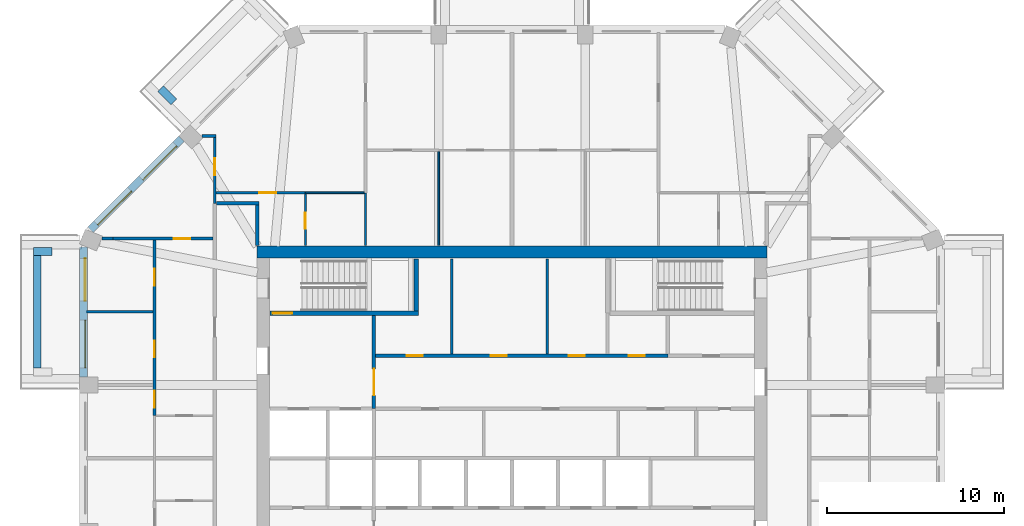
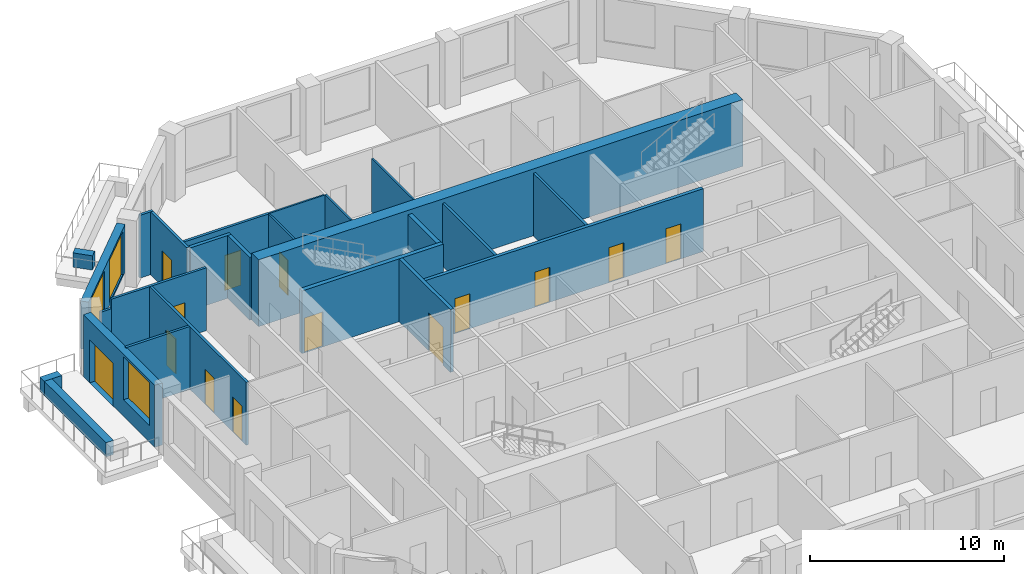
# One storey, part 7 of 12: 25 walls, 14 doors, 3 windows, 17 openings.
"""IFC4 building model written with IfcOpenShell, lengths in metres."""

import ifcopenshell
import ifcopenshell.guid

model = None  # the IFC model being written
_history = None  # IfcOwnerHistory: only IFC2X3 demands one
_inside = {}  # id of a spatial element -> (the spatial element, [elements in it])
_under = {}  # id of a project, library or spatial element -> (it, [spatial elements below it])
_declared = {}  # id of a project -> (the project, [libraries it declares])
_typed = {}  # id of a type object -> (the type object, [elements of that type])
_made_of = {}  # id of a material, layer set ... -> (it, [elements and type objects made of it])


def new_model(schema):
    """Start an empty IFC model of exactly this schema.

    Asked for "IFC4X3", IfcOpenShell would pick the latest addendum, in which some entities
    have other attributes; the version numbers below select the first issue.
    IFC2X3 requires an IfcOwnerHistory on every rooted entity: one is made here for all.
    """
    global model, _history
    if schema == "IFC4X3":
        model = ifcopenshell.file(schema_version=(4, 3, 0, 0))
    else:
        model = ifcopenshell.file(schema=schema)
    _inside.clear()
    _under.clear()
    _declared.clear()
    _typed.clear()
    _made_of.clear()
    _history = None
    if model.schema == "IFC2X3":
        org = make("IfcOrganization", Name="unknown")
        user = make(
            "IfcPersonAndOrganization",
            ThePerson=make("IfcPerson", FamilyName="unknown"),
            TheOrganization=org,
        )
        app = make(
            "IfcApplication",
            ApplicationDeveloper=org,
            Version="unknown",
            ApplicationFullName="unknown",
            ApplicationIdentifier="unknown",
        )
        _history = make(
            "IfcOwnerHistory",
            OwningUser=user,
            OwningApplication=app,
            ChangeAction="ADDED",
            CreationDate=0,
        )
    return model


def make(cls, **values):
    """One entity of the class cls with the attributes given. An attribute that is None is left unset."""
    return model.create_entity(
        cls, **{name: value for name, value in values.items() if value is not None}
    )


def rooted(cls, **values):
    """An entity with a GlobalId (a new one), such as an element, a storey or a relation."""
    return make(cls, GlobalId=ifcopenshell.guid.new(), OwnerHistory=_history, **values)


def si_unit(unit_type, name, prefix=None):
    """IfcSIUnit, for example si_unit("LENGTHUNIT", "METRE", prefix="MILLI")."""
    return make("IfcSIUnit", UnitType=unit_type, Prefix=prefix, Name=name)


def assignment(units):
    """IfcUnitAssignment: the units of a project."""
    return None if units is None else make("IfcUnitAssignment", Units=units)


def point(xyz):
    """IfcCartesianPoint."""
    return None if xyz is None else make("IfcCartesianPoint", Coordinates=xyz)


def direction(xyz):
    """IfcDirection."""
    return None if xyz is None else make("IfcDirection", DirectionRatios=xyz)


def frame(location, z_axis=None, x_axis=None):
    """IfcAxis2Placement3D, a coordinate frame: its origin and axes. An axis left out is left unset."""
    return make(
        "IfcAxis2Placement3D",
        Location=point(location),
        Axis=direction(z_axis),
        RefDirection=direction(x_axis),
    )


def frame_2d(location, x_axis=None):
    """IfcAxis2Placement2D, a coordinate frame in the plane: its origin and x axis."""
    return make(
        "IfcAxis2Placement2D", Location=point(location), RefDirection=direction(x_axis)
    )


def origin():
    """The frame at (0, 0, 0) with its axes left unset."""
    return frame((0.0, 0.0, 0.0))


def place(relative_to, where):
    """IfcLocalPlacement: puts the frame where relative to a parent placement (None: the world)."""
    return make(
        "IfcLocalPlacement", PlacementRelTo=relative_to, RelativePlacement=where
    )


def context(
    kind, dimensions, precision=None, world=None, true_north=None, identifier=None
):
    """IfcGeometricRepresentationContext, for example the 3D "Model" context."""
    return make(
        "IfcGeometricRepresentationContext",
        ContextIdentifier=identifier,
        ContextType=kind,
        CoordinateSpaceDimension=dimensions,
        Precision=precision,
        WorldCoordinateSystem=world,
        TrueNorth=true_north,
    )


def subcontext(parent, identifier, kind, view, scale=None):
    """IfcGeometricRepresentationSubContext, for example "Body" below "Model"."""
    return make(
        "IfcGeometricRepresentationSubContext",
        ContextIdentifier=identifier,
        ContextType=kind,
        ParentContext=parent,
        TargetScale=scale,
        TargetView=view,
    )


def project(units=None, contexts=None):
    """IfcProject with its units and contexts."""
    return rooted(
        "IfcProject",
        Name="project",
        RepresentationContexts=contexts,
        UnitsInContext=assignment(units),
    )


def spatial(cls, under=None, at=None, **own):
    """A site, building, storey or space (cls), placed at a placement, below another one or the project."""
    s = rooted(cls, ObjectPlacement=at, **own)
    if under is not None:
        _under.setdefault(under.id(), (under, []))[1].append(s)
    return s


def profile(cls, at=None, kind="AREA", **sizes):
    """A parametric profile (cls). Its sizes go by their IFC names, for example OverallWidth=200.0."""
    return make(cls, ProfileType=kind, Position=at, **sizes)


def rectangle(**sizes):
    """IfcRectangleProfileDef."""
    return profile("IfcRectangleProfileDef", **sizes)


def extrude(swept, where, along, depth):
    """IfcExtrudedAreaSolid: the profile swept, set in the frame where, extruded along a direction by depth."""
    return make(
        "IfcExtrudedAreaSolid",
        SweptArea=swept,
        Position=where,
        ExtrudedDirection=direction(along),
        Depth=depth,
    )


def shape(context_of_items, identifier, shape_type, items):
    """IfcShapeRepresentation: the items that make up one representation, for example the "Body"."""
    return make(
        "IfcShapeRepresentation",
        ContextOfItems=context_of_items,
        RepresentationIdentifier=identifier,
        RepresentationType=shape_type,
        Items=items,
    )


def material(Name=None, Category=None):
    """IfcMaterial."""
    return make("IfcMaterial", Name=Name, Category=Category)


def layer(
    of_material, thickness, ventilated=None, Name=None, Category=None, Priority=None
):
    """IfcMaterialLayer: one layer of a wall or slab, of a material (None: an air gap)."""
    return make(
        "IfcMaterialLayer",
        Material=of_material,
        LayerThickness=thickness,
        IsVentilated=ventilated,
        Name=Name,
        Category=Category,
        Priority=Priority,
    )


def layer_set(layers, Name=None):
    """IfcMaterialLayerSet."""
    return make("IfcMaterialLayerSet", MaterialLayers=layers, LayerSetName=Name)


def made_of(thing, what):
    """Note that an element or type object is made of a material, layer set ...; save() writes the relation."""
    if what is not None:
        _made_of.setdefault(what.id(), (what, []))[1].append(thing)
    return thing


def type_object(cls, material=None, **own):
    """A type object (cls), such as IfcWallType, which elements share."""
    return made_of(rooted(cls, **own), material)


def element(
    cls,
    number,
    at=None,
    inside=None,
    cuts=None,
    type_object=None,
    material=None,
    context=None,
    identifier="Body",
    shape_type=None,
    held_by="IfcProductDefinitionShape",
    body=None,
    shapes=None,
    **own,
):
    """One element of the class cls, such as IfcWall. Its Tag is "e" and its number.

    at: its placement. inside: the storey or other place that contains it. cuts: it is an
    opening in that element (IfcRelVoidsElement). A single representation is given by context,
    identifier, shape_type and body (its items); several are given by shapes. held_by: the class
    of the entity that holds the representations. save() writes the other relations.
    """
    e = rooted(cls, Tag="e%d" % number, ObjectPlacement=at, **own)
    if body is not None:
        shapes = [shape(context, identifier, shape_type, body)]
    if shapes is not None:
        e.Representation = make(held_by, Representations=shapes)
    if inside is not None:
        _inside.setdefault(inside.id(), (inside, []))[1].append(e)
    if cuts is not None:
        rooted(
            "IfcRelVoidsElement", RelatingBuildingElement=cuts, RelatedOpeningElement=e
        )
    if type_object is not None:
        _typed.setdefault(type_object.id(), (type_object, []))[1].append(e)
    return made_of(e, material)


def fill(opening, filler):
    """IfcRelFillsElement: the door or window that sits in an opening."""
    return rooted(
        "IfcRelFillsElement",
        RelatingOpeningElement=opening,
        RelatedBuildingElement=filler,
    )


def aggregate(whole, parts):
    """IfcRelAggregates: a whole, such as a stair, and the parts it consists of."""
    return rooted("IfcRelAggregates", RelatingObject=whole, RelatedObjects=parts)


def save(model, path):
    """Write the relations noted so far, then the file.

    IfcRelAggregates (storeys below a building ...), IfcRelContainedInSpatialStructure (elements
    in a storey), IfcRelDefinesByType, IfcRelAssociatesMaterial and IfcRelDeclares: one each for
    every whole, place, type object, material and project.
    """
    for whole, parts in _under.values():
        aggregate(whole, parts)
    for where, things in _inside.values():
        rooted(
            "IfcRelContainedInSpatialStructure",
            RelatedElements=things,
            RelatingStructure=where,
        )
    for kind, things in _typed.values():
        rooted("IfcRelDefinesByType", RelatedObjects=things, RelatingType=kind)
    for what, things in _made_of.values():
        rooted("IfcRelAssociatesMaterial", RelatedObjects=things, RelatingMaterial=what)
    for by, libraries in _declared.values():
        rooted("IfcRelDeclares", RelatingContext=by, RelatedDefinitions=libraries)
    model.write(path)


model = new_model("IFC4")

# Units and contexts
model_context = context("Model", 3, precision=1e-05, world=origin(), true_north=direction((0.0, 1.0)))
body_context = subcontext(model_context, "Body", "Model", "MODEL_VIEW")
ifc_project = project(units=[si_unit("LENGTHUNIT", "METRE"), si_unit("AREAUNIT", "SQUARE_METRE"), si_unit("VOLUMEUNIT", "CUBIC_METRE"), si_unit("PLANEANGLEUNIT", "RADIAN"), si_unit("MASSUNIT", "GRAM", prefix="KILO")], contexts=[model_context])

# Site, building, storey
site_placement = place(None, origin())
site = spatial("IfcSite", under=ifc_project, at=site_placement, CompositionType="ELEMENT")
building_placement = place(site_placement, origin())
building = spatial("IfcBuilding", under=site, at=building_placement, Name="Msitu Wima Residences", CompositionType="ELEMENT")
storey_placement = place(building_placement, frame((0.0, 0.0, 170.699951171875)))
storey = spatial("IfcBuildingStorey", under=building, at=storey_placement, Name="L39", CompositionType="ELEMENT", Elevation=170.699951171875)

# Walls
ifc_material_1 = material(Name="Facing brick")
ifc_layer_1 = layer(ifc_material_1, 0.06494140625, Name="Facing brick")
ifc_material_2 = material(Name="Concrete C40/50", Category="concrete")
ifc_layer_2 = layer(ifc_material_2, 0.156005859375, Name="Concrete C40/50")
ifc_material_3 = material(Name="Waterproofing membrane")
ifc_layer_3 = layer(ifc_material_3, 0.00390625, Name="Waterproofing membrane")
ifc_material_4 = material(Name="Planting soil and planting")
ifc_layer_4 = layer(ifc_material_4, 0.22509765625, Name="Planting soil and planting")
ifc_layer_set_1 = layer_set([ifc_layer_1, ifc_layer_2, ifc_layer_3, ifc_layer_4], Name="Concrete C40/50")
wall_type_1 = type_object("IfcWallType", Name="Balcony planter PLANTER PL450", PredefinedType="USERDEFINED", material=ifc_layer_set_1)
wall_1_placement = place(storey_placement, frame((-19.107421875, 20.1328125, 0.0), z_axis=(0.0, 0.0, 1.0), x_axis=(-0.707106781187, 0.707106781187, 0.0)))
element("IfcWall", 1, at=wall_1_placement, inside=storey, type_object=wall_type_1, Name="Balcony planter NW0 L39", ObjectType="PLANTER", PredefinedType="USERDEFINED", context=body_context, shape_type="SweptSolid", body=[
    extrude(rectangle(XDim=1.050048828125, YDim=0.449951171875, at=frame_2d((0.52490234375, 0.0))), origin(), (0.0, 0.0, 1.0), 0.900146484375),
])
wall_2_placement = place(storey_placement, frame((-26.824951171875, 11.461669921875, 0.0), z_axis=(0.0, 0.0, 1.0), x_axis=(0.0, -1.0, 0.0)))
element("IfcWall", 2, at=wall_2_placement, inside=storey, type_object=wall_type_1, Name="Balcony planter W0 L39", ObjectType="PLANTER", PredefinedType="USERDEFINED", context=body_context, shape_type="SweptSolid", body=[
    extrude(rectangle(XDim=6.37451171875, YDim=0.449951171875, at=frame_2d((3.187255859375, 0.0))), origin(), (0.0, 0.0, 1.0), 0.900146484375),
])
wall_3_placement = place(storey_placement, frame((-26.0, 11.686767578125, 0.0), z_axis=(0.0, 0.0, 1.0), x_axis=(-1.0, 0.0, 0.0)))
element("IfcWall", 3, at=wall_3_placement, inside=storey, type_object=wall_type_1, Name="Balcony planter W0 L39", ObjectType="PLANTER", PredefinedType="USERDEFINED", context=body_context, shape_type="SweptSolid", body=[
    extrude(rectangle(XDim=1.050048828125, YDim=0.449951171875, at=frame_2d((0.52490234375, 0.0))), origin(), (0.0, 0.0, 1.0), 0.900146484375),
])

# Wall, openings, windows
ifc_material_5 = material(Name="Brick (red buff mix)", Category="masonry")
ifc_layer_5 = layer(ifc_material_5, 0.449951171875)
ifc_layer_set_2 = layer_set([ifc_layer_5], Name="Brick (red buff mix)")
wall_type_2 = type_object("IfcWallType", Name="Brick infill wall BW450", PredefinedType="SOLIDWALL", material=ifc_layer_set_2)
wall_4_placement = place(storey_placement, frame((-18.68310546875, 18.046875, 0.900146484375), z_axis=(0.0, 0.0, 1.0), x_axis=(-0.707106781187, -0.707106781187, 0.0)))
wall_4 = element("IfcWall", 4, at=wall_4_placement, inside=storey, type_object=wall_type_2, Name="Brick infill wall L39 NW1", PredefinedType="SOLIDWALL", context=body_context, shape_type="SweptSolid", body=[
    extrude(rectangle(XDim=7.257080078125, YDim=0.449951171875, at=frame_2d((3.62841796875, 0.0))), origin(), (0.0, 0.0, 1.0), 3.0),
])
opening_1_placement = place(wall_4_placement, frame((0.478515625, 0.0, 0.14990234375)))
opening_1 = element("IfcOpeningElement", 5, at=opening_1_placement, cuts=wall_4, Name="Opening W38-39.014", PredefinedType="OPENING", context=body_context, shape_type="SweptSolid", body=[
    extrude(rectangle(XDim=2.699951171875, YDim=2.699951171875, at=frame_2d((1.35009765625, 1.35009765625))), frame((0.0, 0.23486328125, 0.0), z_axis=(0.0, -1.0, 0.0), x_axis=(1.0, 0.0, 0.0)), (0.0, 0.0, 1.0), 0.469970703125),
])
opening_2_placement = place(wall_4_placement, frame((4.07861328125, 0.0, 0.14990234375)))
opening_2 = element("IfcOpeningElement", 6, at=opening_2_placement, cuts=wall_4, Name="Opening W38-39.015", PredefinedType="OPENING", context=body_context, shape_type="SweptSolid", body=[
    extrude(rectangle(XDim=2.699951171875, YDim=2.699951171875, at=frame_2d((1.35009765625, 1.35009765625))), frame((0.0, 0.23486328125, 0.0), z_axis=(0.0, -1.0, 0.0), x_axis=(1.0, 0.0, 0.0)), (0.0, 0.0, 1.0), 0.469970703125),
])
ifc_material_6 = material(Name="Anodised aluminium, bronze finish, clear low-emissivity double glazing", Category="aluminium")
window_type = type_object("IfcWindowType", Name="Window W2700x2700", PartitioningType="DOUBLE_PANEL_VERTICAL", PredefinedType="WINDOW", material=ifc_material_6)
window_1_placement = place(opening_1_placement, origin())
window_1 = element("IfcWindow", 7, at=window_1_placement, inside=storey, type_object=window_type, Name="Window L39 NW1.1", OverallHeight=2.699951171875, OverallWidth=2.699951171875, PartitioningType="SINGLE_PANEL", PredefinedType="WINDOW", context=body_context, shape_type="SweptSolid", body=[
    extrude(rectangle(XDim=2.699951171875, YDim=2.699951171875, at=frame_2d((1.35009765625, 1.35009765625))), frame((0.0, 0.135009765625, 0.0), z_axis=(0.0, -1.0, 0.0), x_axis=(1.0, 0.0, 0.0)), (0.0, 0.0, 1.0), 0.06005859375),
])
fill(opening_1, window_1)
window_2_placement = place(opening_2_placement, origin())
window_2 = element("IfcWindow", 8, at=window_2_placement, inside=storey, type_object=window_type, Name="Window L39 NW1.2", OverallHeight=2.699951171875, OverallWidth=2.699951171875, PartitioningType="SINGLE_PANEL", PredefinedType="WINDOW", context=body_context, shape_type="SweptSolid", body=[
    extrude(rectangle(XDim=2.699951171875, YDim=2.699951171875, at=frame_2d((1.35009765625, 1.35009765625))), frame((0.0, 0.135009765625, 0.0), z_axis=(0.0, -1.0, 0.0), x_axis=(1.0, 0.0, 0.0)), (0.0, 0.0, 1.0), 0.06005859375),
])
fill(opening_2, window_2)

# Wall, openings, door, window
wall_5_placement = place(storey_placement, frame((-24.22509765625, 11.9248046875, 0.0), z_axis=(0.0, 0.0, 1.0), x_axis=(0.0, -1.0, 0.0)))
wall_5 = element("IfcWall", 9, at=wall_5_placement, inside=storey, type_object=wall_type_2, Name="Brick infill wall L39 W0", PredefinedType="SOLIDWALL", context=body_context, shape_type="SweptSolid", body=[
    extrude(rectangle(XDim=7.337646484375, YDim=0.449951171875, at=frame_2d((3.6689453125, 0.0))), origin(), (0.0, 0.0, 1.0), 3.900146484375),
])
opening_3_placement = place(wall_5_placement, frame((0.63427734375, 0.0, 0.0)))
opening_3 = element("IfcOpeningElement", 10, at=opening_3_placement, cuts=wall_5, Name="Opening D38-39.009", PredefinedType="OPENING", context=body_context, shape_type="SweptSolid", body=[
    extrude(rectangle(XDim=2.39990234375, YDim=2.699951171875, at=frame_2d((1.199951171875, 1.35009765625))), frame((0.0, 0.23486328125, 0.0), z_axis=(0.0, -1.0, 0.0), x_axis=(1.0, 0.0, 0.0)), (0.0, 0.0, 1.0), 0.469970703125),
])
opening_4_placement = place(wall_5_placement, frame((4.11865234375, 0.0, 1.050048828125)))
opening_4 = element("IfcOpeningElement", 11, at=opening_4_placement, cuts=wall_5, Name="Opening W38-39.027", PredefinedType="OPENING", context=body_context, shape_type="SweptSolid", body=[
    extrude(rectangle(XDim=2.699951171875, YDim=2.699951171875, at=frame_2d((1.35009765625, 1.35009765625))), frame((0.0, 0.23486328125, 0.0), z_axis=(0.0, -1.0, 0.0), x_axis=(1.0, 0.0, 0.0)), (0.0, 0.0, 1.0), 0.469970703125),
])
door_type_1 = type_object("IfcDoorType", Name="Balcony door D2400x2700", OperationType="SLIDING_TO_LEFT", PredefinedType="DOOR", material=ifc_material_6)
door_1_placement = place(opening_3_placement, origin())
door_1 = element("IfcDoor", 12, at=door_1_placement, inside=storey, type_object=door_type_1, Name="Balcony door L39 W0", OperationType="SINGLE_SWING_LEFT", OverallHeight=2.699951171875, OverallWidth=2.39990234375, PredefinedType="DOOR", context=body_context, shape_type="SweptSolid", body=[
    extrude(rectangle(XDim=2.39990234375, YDim=2.699951171875, at=frame_2d((1.199951171875, 1.35009765625))), frame((0.0, 0.1298828125, 0.0), z_axis=(0.0, -1.0, 0.0), x_axis=(1.0, 0.0, 0.0)), (0.0, 0.0, 1.0), 0.050048828125),
])
fill(opening_3, door_1)
window_3_placement = place(opening_4_placement, origin())
window_3 = element("IfcWindow", 13, at=window_3_placement, inside=storey, type_object=window_type, Name="Window L39 W0.2", OverallHeight=2.699951171875, OverallWidth=2.699951171875, PartitioningType="SINGLE_PANEL", PredefinedType="WINDOW", context=body_context, shape_type="SweptSolid", body=[
    extrude(rectangle(XDim=2.699951171875, YDim=2.699951171875, at=frame_2d((1.35009765625, 1.35009765625))), frame((0.0, 0.135009765625, 0.0), z_axis=(0.0, -1.0, 0.0), x_axis=(1.0, 0.0, 0.0)), (0.0, 0.0, 1.0), 0.06005859375),
])
fill(opening_4, window_3)

# Walls
ifc_material_7 = material(Name="Concrete C60/75", Category="concrete")
ifc_layer_6 = layer(ifc_material_7, 0.699951171875)
ifc_layer_set_3 = layer_set([ifc_layer_6], Name="Concrete C60/75")
wall_type_3 = type_object("IfcWallType", Name="Core wall CW700 C60/75", PredefinedType="SHEAR", material=ifc_layer_set_3)
wall_6_placement = place(storey_placement, frame((-14.39990234375, 11.64990234375, 0.0), z_axis=(0.0, 0.0, 1.0), x_axis=(1.0, 0.0, 0.0)))
element("IfcWall", 14, at=wall_6_placement, inside=storey, type_object=wall_type_3, Name="Core wall", PredefinedType="SHEAR", context=body_context, shape_type="SweptSolid", body=[
    extrude(rectangle(XDim=28.7998046875, YDim=0.699951171875, at=frame_2d((14.39990234375, 0.0))), origin(), (0.0, 0.0, 1.0), 4.199951171875),
])
ifc_material_8 = material(Name="Plaster")
ifc_layer_7 = layer(ifc_material_8, 0.011962890625, Name="Plaster")
ifc_material_9 = material(Name="Concrete blockwork", Category="masonry")
ifc_layer_8 = layer(ifc_material_9, 0.176025390625, Name="Concrete blockwork")
ifc_layer_9 = layer(ifc_material_8, 0.011962890625, Name="Plaster")
ifc_layer_set_4 = layer_set([ifc_layer_7, ifc_layer_8, ifc_layer_9], Name="Concrete blockwork")
wall_type_4 = type_object("IfcWallType", Name="Corridor wall FW200", PredefinedType="PARTITIONING", material=ifc_layer_set_4)
wall_7_placement = place(storey_placement, frame((-16.699951171875, 14.39990234375, 0.0), z_axis=(0.0, 0.0, 1.0), x_axis=(1.0, 0.0, 0.0)))
element("IfcWall", 15, at=wall_7_placement, inside=storey, type_object=wall_type_4, Name="Corridor wall", PredefinedType="PARTITIONING", context=body_context, shape_type="SweptSolid", body=[
    extrude(rectangle(XDim=2.39990234375, YDim=0.199951171875, at=frame_2d((1.199951171875, 0.0))), origin(), (0.0, 0.0, 1.0), 3.949951171875),
])
wall_8_placement = place(storey_placement, frame((-14.39990234375, 12.030029296875, 0.0), z_axis=(0.0, 0.0, 1.0), x_axis=(0.0, 1.0, 0.0)))
element("IfcWall", 16, at=wall_8_placement, inside=storey, type_object=wall_type_4, Name="Corridor wall", PredefinedType="PARTITIONING", context=body_context, shape_type="SweptSolid", body=[
    extrude(rectangle(XDim=2.27001953125, YDim=0.199951171875, at=frame_2d((1.135009765625, 0.0))), origin(), (0.0, 0.0, 1.0), 3.949951171875),
])

# Wall, opening, door
wall_9_placement = place(storey_placement, frame((-7.800048828125, 2.800048828125, 0.0), z_axis=(0.0, 0.0, 1.0), x_axis=(0.0, 1.0, 0.0)))
wall_9 = element("IfcWall", 17, at=wall_9_placement, inside=storey, type_object=wall_type_4, Name="Corridor wall", PredefinedType="PARTITIONING", context=body_context, shape_type="SweptSolid", body=[
    extrude(rectangle(XDim=5.27490234375, YDim=0.199951171875, at=frame_2d((2.637451171875, 0.0))), origin(), (0.0, 0.0, 1.0), 3.949951171875),
])
opening_5_placement = place(wall_9_placement, frame((0.75, 0.0, 0.0)))
opening_5 = element("IfcOpeningElement", 18, at=opening_5_placement, cuts=wall_9, Name="Opening D38-39.061", PredefinedType="OPENING", context=body_context, shape_type="SweptSolid", body=[
    extrude(rectangle(XDim=1.5, YDim=2.39990234375, at=frame_2d((0.75, 1.199951171875))), frame((0.0, 0.10986328125, 0.0), z_axis=(0.0, -1.0, 0.0), x_axis=(1.0, 0.0, 0.0)), (0.0, 0.0, 1.0), 0.219970703125),
])
ifc_material_10 = material(Name="Steel framed glazed door, fire resisting", Category="steel")
door_type_2 = type_object("IfcDoorType", Name="Lobby door D07 1500x2400", OperationType="DOUBLE_DOOR_SINGLE_SWING", PredefinedType="DOOR", material=ifc_material_10)
door_2_placement = place(opening_5_placement, origin())
door_2 = element("IfcDoor", 19, at=door_2_placement, inside=storey, type_object=door_type_2, Name="Lobby door", OperationType="DOUBLE_DOOR_SINGLE_SWING", OverallHeight=2.39990234375, OverallWidth=1.5, PredefinedType="DOOR", context=body_context, shape_type="SweptSolid", body=[
    extrude(rectangle(XDim=1.5, YDim=2.39990234375, at=frame_2d((0.75, 1.199951171875))), frame((0.0, 0.02490234375, 0.0), z_axis=(0.0, -1.0, 0.0), x_axis=(1.0, 0.0, 0.0)), (0.0, 0.0, 1.0), 0.050048828125),
])
fill(opening_5, door_2)

# Wall, openings, doors
wall_10_placement = place(storey_placement, frame((-7.699951171875, 5.800048828125, 0.0), z_axis=(0.0, 0.0, 1.0), x_axis=(1.0, 0.0, 0.0)))
wall_10 = element("IfcWall", 20, at=wall_10_placement, inside=storey, type_object=wall_type_4, Name="Corridor wall", PredefinedType="PARTITIONING", context=body_context, shape_type="SweptSolid", body=[
    extrude(rectangle(XDim=16.52001953125, YDim=0.199951171875, at=frame_2d((8.260009765625, 0.0))), origin(), (0.0, 0.0, 1.0), 3.949951171875),
])
opening_6_placement = place(wall_10_placement, frame((1.75, 0.0, 0.0)))
opening_6 = element("IfcOpeningElement", 21, at=opening_6_placement, cuts=wall_10, Name="Opening D38-39.064", PredefinedType="OPENING", context=body_context, shape_type="SweptSolid", body=[
    extrude(rectangle(XDim=0.89990234375, YDim=2.199951171875, at=frame_2d((0.449951171875, 1.10009765625))), frame((0.0, 0.10986328125, 0.0), z_axis=(0.0, -1.0, 0.0), x_axis=(1.0, 0.0, 0.0)), (0.0, 0.0, 1.0), 0.219970703125),
])
opening_7_placement = place(wall_10_placement, frame((6.5, 0.0, 0.0)))
opening_7 = element("IfcOpeningElement", 22, at=opening_7_placement, cuts=wall_10, Name="Opening D38-39.065", PredefinedType="OPENING", context=body_context, shape_type="SweptSolid", body=[
    extrude(rectangle(XDim=0.89990234375, YDim=2.199951171875, at=frame_2d((0.449951171875, 1.10009765625))), frame((0.0, 0.10986328125, 0.0), z_axis=(0.0, -1.0, 0.0), x_axis=(1.0, 0.0, 0.0)), (0.0, 0.0, 1.0), 0.219970703125),
])
opening_8_placement = place(wall_10_placement, frame((10.89990234375, 0.0, 0.0)))
opening_8 = element("IfcOpeningElement", 23, at=opening_8_placement, cuts=wall_10, Name="Opening D38-39.066", PredefinedType="OPENING", context=body_context, shape_type="SweptSolid", body=[
    extrude(rectangle(XDim=0.89990234375, YDim=2.199951171875, at=frame_2d((0.449951171875, 1.10009765625))), frame((0.0, 0.10986328125, 0.0), z_axis=(0.0, -1.0, 0.0), x_axis=(1.0, 0.0, 0.0)), (0.0, 0.0, 1.0), 0.219970703125),
])
opening_9_placement = place(wall_10_placement, frame((14.300048828125, 0.0, 0.0)))
opening_9 = element("IfcOpeningElement", 24, at=opening_9_placement, cuts=wall_10, Name="Opening D38-39.067", PredefinedType="OPENING", context=body_context, shape_type="SweptSolid", body=[
    extrude(rectangle(XDim=0.89990234375, YDim=2.199951171875, at=frame_2d((0.449951171875, 1.10009765625))), frame((0.0, 0.10986328125, 0.0), z_axis=(0.0, -1.0, 0.0), x_axis=(1.0, 0.0, 0.0)), (0.0, 0.0, 1.0), 0.219970703125),
])
ifc_material_11 = material(Name="Timber flush door", Category="wood")
door_type_3 = type_object("IfcDoorType", Name="Service door D05 900x2200", OperationType="SINGLE_SWING_LEFT", PredefinedType="DOOR", material=ifc_material_11)
door_3_placement = place(opening_6_placement, origin())
door_3 = element("IfcDoor", 25, at=door_3_placement, inside=storey, type_object=door_type_3, Name="Service door", OperationType="SINGLE_SWING_RIGHT", OverallHeight=2.199951171875, OverallWidth=0.89990234375, PredefinedType="DOOR", context=body_context, shape_type="SweptSolid", body=[
    extrude(rectangle(XDim=0.89990234375, YDim=2.199951171875, at=frame_2d((0.449951171875, 1.10009765625))), frame((0.0, 0.02490234375, 0.0), z_axis=(0.0, -1.0, 0.0), x_axis=(1.0, 0.0, 0.0)), (0.0, 0.0, 1.0), 0.050048828125),
])
fill(opening_6, door_3)
door_4_placement = place(opening_7_placement, origin())
door_4 = element("IfcDoor", 26, at=door_4_placement, inside=storey, type_object=door_type_3, Name="Service door", OperationType="SINGLE_SWING_LEFT", OverallHeight=2.199951171875, OverallWidth=0.89990234375, PredefinedType="DOOR", context=body_context, shape_type="SweptSolid", body=[
    extrude(rectangle(XDim=0.89990234375, YDim=2.199951171875, at=frame_2d((0.449951171875, 1.10009765625))), frame((0.0, 0.02490234375, 0.0), z_axis=(0.0, -1.0, 0.0), x_axis=(1.0, 0.0, 0.0)), (0.0, 0.0, 1.0), 0.050048828125),
])
fill(opening_7, door_4)
door_5_placement = place(opening_8_placement, origin())
door_5 = element("IfcDoor", 27, at=door_5_placement, inside=storey, type_object=door_type_3, Name="Service door", OperationType="SINGLE_SWING_LEFT", OverallHeight=2.199951171875, OverallWidth=0.89990234375, PredefinedType="DOOR", context=body_context, shape_type="SweptSolid", body=[
    extrude(rectangle(XDim=0.89990234375, YDim=2.199951171875, at=frame_2d((0.449951171875, 1.10009765625))), frame((0.0, 0.02490234375, 0.0), z_axis=(0.0, -1.0, 0.0), x_axis=(1.0, 0.0, 0.0)), (0.0, 0.0, 1.0), 0.050048828125),
])
fill(opening_8, door_5)
door_6_placement = place(opening_9_placement, origin())
door_6 = element("IfcDoor", 28, at=door_6_placement, inside=storey, type_object=door_type_3, Name="Service door", OperationType="SINGLE_SWING_LEFT", OverallHeight=2.199951171875, OverallWidth=0.89990234375, PredefinedType="DOOR", context=body_context, shape_type="SweptSolid", body=[
    extrude(rectangle(XDim=0.89990234375, YDim=2.199951171875, at=frame_2d((0.449951171875, 1.10009765625))), frame((0.0, 0.02490234375, 0.0), z_axis=(0.0, -1.0, 0.0), x_axis=(1.0, 0.0, 0.0)), (0.0, 0.0, 1.0), 0.050048828125),
])
fill(opening_9, door_6)

# Walls
ifc_layer_10 = layer(ifc_material_8, 0.011962890625, Name="Plaster")
ifc_layer_11 = layer(ifc_material_9, 0.1259765625, Name="Concrete blockwork")
ifc_layer_12 = layer(ifc_material_8, 0.011962890625, Name="Plaster")
ifc_layer_set_5 = layer_set([ifc_layer_10, ifc_layer_11, ifc_layer_12], Name="Concrete blockwork")
wall_type_5 = type_object("IfcWallType", Name="Partition PW150", PredefinedType="PARTITIONING", material=ifc_layer_set_5)
wall_11_placement = place(storey_placement, frame((-24.054931640625, 8.2744140625, 0.0), z_axis=(0.0, 0.0, 1.0), x_axis=(1.0, 0.0, 0.0)))
element("IfcWall", 29, at=wall_11_placement, inside=storey, type_object=wall_type_5, Name="Partition", PredefinedType="PARTITIONING", context=body_context, shape_type="SweptSolid", body=[
    extrude(rectangle(XDim=3.780029296875, YDim=0.14990234375, at=frame_2d((1.89013671875, 0.0))), origin(), (0.0, 0.0, 1.0), 3.949951171875),
])
wall_12_placement = place(storey_placement, frame((-23.1689453125, 12.411865234375, 0.0), z_axis=(0.0, 0.0, 1.0), x_axis=(1.0, 0.0, 0.0)))
element("IfcWall", 30, at=wall_12_placement, inside=storey, type_object=wall_type_5, Name="Partition", PredefinedType="PARTITIONING", context=body_context, shape_type="SweptSolid", body=[
    extrude(rectangle(XDim=0.630615234375, YDim=0.14990234375, at=frame_2d((0.3154296875, 0.0))), origin(), (0.0, 0.0, 1.0), 3.35009765625),
])

# Wall, opening, door
wall_13_placement = place(storey_placement, frame((-22.538330078125, 12.411865234375, 0.0), z_axis=(0.0, 0.0, 1.0), x_axis=(1.0, 0.0, 0.0)))
wall_13 = element("IfcWall", 31, at=wall_13_placement, inside=storey, type_object=wall_type_5, Name="Partition", PredefinedType="PARTITIONING", context=body_context, shape_type="SweptSolid", body=[
    extrude(rectangle(XDim=5.638427734375, YDim=0.14990234375, at=frame_2d((2.8193359375, 0.0))), origin(), (0.0, 0.0, 1.0), 3.949951171875),
])
opening_10_placement = place(wall_13_placement, frame((3.41943359375, 0.0, 0.0)))
opening_10 = element("IfcOpeningElement", 32, at=opening_10_placement, cuts=wall_13, Name="Opening D38-39.030", PredefinedType="OPENING", context=body_context, shape_type="SweptSolid", body=[
    extrude(rectangle(XDim=0.949951171875, YDim=2.199951171875, at=frame_2d((0.47509765625, 1.10009765625))), frame((0.0, 0.0849609375, 0.0), z_axis=(0.0, -1.0, 0.0), x_axis=(1.0, 0.0, 0.0)), (0.0, 0.0, 1.0), 0.169921875),
])
door_type_4 = type_object("IfcDoorType", Name="Room door D12 950x2200", OperationType="SINGLE_SWING_LEFT", PredefinedType="DOOR", material=ifc_material_11)
door_7_placement = place(opening_10_placement, origin())
door_7 = element("IfcDoor", 33, at=door_7_placement, inside=storey, type_object=door_type_4, Name="Room door", OperationType="SINGLE_SWING_RIGHT", OverallHeight=2.199951171875, OverallWidth=0.949951171875, PredefinedType="DOOR", context=body_context, shape_type="SweptSolid", body=[
    extrude(rectangle(XDim=0.949951171875, YDim=2.199951171875, at=frame_2d((0.47509765625, 1.10009765625))), frame((0.0, 0.02490234375, 0.0), z_axis=(0.0, -1.0, 0.0), x_axis=(1.0, 0.0, 0.0)), (0.0, 0.0, 1.0), 0.050048828125),
])
fill(opening_10, door_7)

# Wall, openings, doors
wall_14_placement = place(storey_placement, frame((-20.199951171875, 2.39990234375, 0.0), z_axis=(0.0, 0.0, 1.0), x_axis=(0.0, 1.0, 0.0)))
wall_14 = element("IfcWall", 34, at=wall_14_placement, inside=storey, type_object=wall_type_5, Name="Partition", PredefinedType="PARTITIONING", context=body_context, shape_type="SweptSolid", body=[
    extrude(rectangle(XDim=9.936767578125, YDim=0.14990234375, at=frame_2d((4.96826171875, 0.0))), origin(), (0.0, 0.0, 1.0), 3.949951171875),
])
opening_11_placement = place(wall_14_placement, frame((0.449951171875, 0.0, 0.0)))
opening_11 = element("IfcOpeningElement", 35, at=opening_11_placement, cuts=wall_14, Name="Opening D38-39.027", PredefinedType="OPENING", context=body_context, shape_type="SweptSolid", body=[
    extrude(rectangle(XDim=0.949951171875, YDim=2.199951171875, at=frame_2d((0.47509765625, 1.10009765625))), frame((0.0, 0.0849609375, 0.0), z_axis=(0.0, -1.0, 0.0), x_axis=(1.0, 0.0, 0.0)), (0.0, 0.0, 1.0), 0.169921875),
])
opening_12_placement = place(wall_14_placement, frame((3.300048828125, 0.0, 0.0)))
opening_12 = element("IfcOpeningElement", 36, at=opening_12_placement, cuts=wall_14, Name="Opening D38-39.028", PredefinedType="OPENING", context=body_context, shape_type="SweptSolid", body=[
    extrude(rectangle(XDim=0.949951171875, YDim=2.199951171875, at=frame_2d((0.47509765625, 1.10009765625))), frame((0.0, 0.0849609375, 0.0), z_axis=(0.0, -1.0, 0.0), x_axis=(1.0, 0.0, 0.0)), (0.0, 0.0, 1.0), 0.169921875),
])
opening_13_placement = place(wall_14_placement, frame((7.35009765625, 0.0, 0.0)))
opening_13 = element("IfcOpeningElement", 37, at=opening_13_placement, cuts=wall_14, Name="Opening D38-39.029", PredefinedType="OPENING", context=body_context, shape_type="SweptSolid", body=[
    extrude(rectangle(XDim=0.949951171875, YDim=2.199951171875, at=frame_2d((0.47509765625, 1.10009765625))), frame((0.0, 0.0849609375, 0.0), z_axis=(0.0, -1.0, 0.0), x_axis=(1.0, 0.0, 0.0)), (0.0, 0.0, 1.0), 0.169921875),
])
door_8_placement = place(opening_11_placement, origin())
door_8 = element("IfcDoor", 38, at=door_8_placement, inside=storey, type_object=door_type_4, Name="Room door", OperationType="SINGLE_SWING_RIGHT", OverallHeight=2.199951171875, OverallWidth=0.949951171875, PredefinedType="DOOR", context=body_context, shape_type="SweptSolid", body=[
    extrude(rectangle(XDim=0.949951171875, YDim=2.199951171875, at=frame_2d((0.47509765625, 1.10009765625))), frame((0.0, 0.02490234375, 0.0), z_axis=(0.0, -1.0, 0.0), x_axis=(1.0, 0.0, 0.0)), (0.0, 0.0, 1.0), 0.050048828125),
])
fill(opening_11, door_8)
door_9_placement = place(opening_12_placement, origin())
door_9 = element("IfcDoor", 39, at=door_9_placement, inside=storey, type_object=door_type_4, Name="Room door", OperationType="SINGLE_SWING_LEFT", OverallHeight=2.199951171875, OverallWidth=0.949951171875, PredefinedType="DOOR", context=body_context, shape_type="SweptSolid", body=[
    extrude(rectangle(XDim=0.949951171875, YDim=2.199951171875, at=frame_2d((0.47509765625, 1.10009765625))), frame((0.0, 0.02490234375, 0.0), z_axis=(0.0, -1.0, 0.0), x_axis=(1.0, 0.0, 0.0)), (0.0, 0.0, 1.0), 0.050048828125),
])
fill(opening_12, door_9)
door_10_placement = place(opening_13_placement, origin())
door_10 = element("IfcDoor", 40, at=door_10_placement, inside=storey, type_object=door_type_4, Name="Room door", OperationType="SINGLE_SWING_LEFT", OverallHeight=2.199951171875, OverallWidth=0.949951171875, PredefinedType="DOOR", context=body_context, shape_type="SweptSolid", body=[
    extrude(rectangle(XDim=0.949951171875, YDim=2.199951171875, at=frame_2d((0.47509765625, 1.10009765625))), frame((0.0, 0.02490234375, 0.0), z_axis=(0.0, -1.0, 0.0), x_axis=(1.0, 0.0, 0.0)), (0.0, 0.0, 1.0), 0.050048828125),
])
fill(opening_13, door_10)

# Wall
wall_15_placement = place(storey_placement, frame((-17.509521484375, 18.205810546875, 0.0), z_axis=(0.0, 0.0, 1.0), x_axis=(1.0, 0.0, 0.0)))
element("IfcWall", 41, at=wall_15_placement, inside=storey, type_object=wall_type_5, Name="Partition", PredefinedType="PARTITIONING", context=body_context, shape_type="SweptSolid", body=[
    extrude(rectangle(XDim=0.784423828125, YDim=0.14990234375, at=frame_2d((0.39208984375, 0.0))), origin(), (0.0, 0.0, 1.0), 3.949951171875),
])

# Wall, opening, door
wall_16_placement = place(storey_placement, frame((-16.800048828125, 14.39990234375, 0.0), z_axis=(0.0, 0.0, 1.0), x_axis=(0.0, 1.0, 0.0)))
wall_16 = element("IfcWall", 42, at=wall_16_placement, inside=storey, type_object=wall_type_5, Name="Partition", PredefinedType="PARTITIONING", context=body_context, shape_type="SweptSolid", body=[
    extrude(rectangle(XDim=3.73095703125, YDim=0.14990234375, at=frame_2d((1.865478515625, 0.0))), origin(), (0.0, 0.0, 1.0), 3.949951171875),
])
opening_14_placement = place(wall_16_placement, frame((1.60009765625, 0.0, 0.0)))
opening_14 = element("IfcOpeningElement", 43, at=opening_14_placement, cuts=wall_16, Name="Opening D38-39.031", PredefinedType="OPENING", context=body_context, shape_type="SweptSolid", body=[
    extrude(rectangle(XDim=0.949951171875, YDim=2.199951171875, at=frame_2d((0.47509765625, 1.10009765625))), frame((0.0, 0.0849609375, 0.0), z_axis=(0.0, -1.0, 0.0), x_axis=(1.0, 0.0, 0.0)), (0.0, 0.0, 1.0), 0.169921875),
])
door_11_placement = place(opening_14_placement, origin())
door_11 = element("IfcDoor", 44, at=door_11_placement, inside=storey, type_object=door_type_4, Name="Room door", OperationType="SINGLE_SWING_RIGHT", OverallHeight=2.199951171875, OverallWidth=0.949951171875, PredefinedType="DOOR", context=body_context, shape_type="SweptSolid", body=[
    extrude(rectangle(XDim=0.949951171875, YDim=2.199951171875, at=frame_2d((0.47509765625, 1.10009765625))), frame((0.0, 0.02490234375, 0.0), z_axis=(0.0, -1.0, 0.0), x_axis=(1.0, 0.0, 0.0)), (0.0, 0.0, 1.0), 0.050048828125),
])
fill(opening_14, door_11)

wall_17_placement = place(storey_placement, frame((-16.72509765625, 15.0, 0.0), z_axis=(0.0, 0.0, 1.0), x_axis=(1.0, 0.0, 0.0)))
wall_17 = element("IfcWall", 45, at=wall_17_placement, inside=storey, type_object=wall_type_5, Name="Partition", PredefinedType="PARTITIONING", context=body_context, shape_type="SweptSolid", body=[
    extrude(rectangle(XDim=5.050537109375, YDim=0.14990234375, at=frame_2d((2.525390625, 0.0))), origin(), (0.0, 0.0, 1.0), 3.949951171875),
])
opening_15_placement = place(wall_17_placement, frame((2.449951171875, 0.0, 0.0)))
opening_15 = element("IfcOpeningElement", 46, at=opening_15_placement, cuts=wall_17, Name="Opening D38-39.033", PredefinedType="OPENING", context=body_context, shape_type="SweptSolid", body=[
    extrude(rectangle(XDim=0.949951171875, YDim=2.199951171875, at=frame_2d((0.47509765625, 1.10009765625))), frame((0.0, 0.0849609375, 0.0), z_axis=(0.0, -1.0, 0.0), x_axis=(1.0, 0.0, 0.0)), (0.0, 0.0, 1.0), 0.169921875),
])
door_12_placement = place(opening_15_placement, origin())
door_12 = element("IfcDoor", 47, at=door_12_placement, inside=storey, type_object=door_type_4, Name="Room door", OperationType="SINGLE_SWING_LEFT", OverallHeight=2.199951171875, OverallWidth=0.949951171875, PredefinedType="DOOR", context=body_context, shape_type="SweptSolid", body=[
    extrude(rectangle(XDim=0.949951171875, YDim=2.199951171875, at=frame_2d((0.47509765625, 1.10009765625))), frame((0.0, 0.02490234375, 0.0), z_axis=(0.0, -1.0, 0.0), x_axis=(1.0, 0.0, 0.0)), (0.0, 0.0, 1.0), 0.050048828125),
])
fill(opening_15, door_12)

# Walls
for number, where, z_axis, x_axis, name in (
    (48, (-3.39990234375, 5.89990234375, 0.0), (0.0, 0.0, 1.0), (0.0, 1.0, 0.0), "Partition"),
    (49, (2.0, 5.89990234375, 0.0), (0.0, 0.0, 1.0), (0.0, 1.0, 0.0), "Partition"),
):
    element("IfcWall", number, at=place(storey_placement, frame(where, z_axis=z_axis, x_axis=x_axis)), inside=storey, type_object=wall_type_5, Name=name, PredefinedType="PARTITIONING", context=body_context, shape_type="SweptSolid", body=[
        extrude(rectangle(XDim=5.3701171875, YDim=0.14990234375, at=frame_2d((2.68505859375, 0.0))), origin(), (0.0, 0.0, 1.0), 3.949951171875),
    ])

# Wall, opening, door
ifc_material_12 = material(Name="Concrete C50/60", Category="concrete")
ifc_layer_13 = layer(ifc_material_12, 0.25)
ifc_layer_set_6 = layer_set([ifc_layer_13], Name="Concrete C50/60")
wall_type_6 = type_object("IfcWallType", Name="Stair enclosure wall SW250", PredefinedType="SHEAR", material=ifc_layer_set_6)
wall_18_placement = place(storey_placement, frame((-13.669921875, 8.199951171875, 0.0), z_axis=(0.0, 0.0, 1.0), x_axis=(1.0, 0.0, 0.0)))
wall_18 = element("IfcWall", 50, at=wall_18_placement, inside=storey, type_object=wall_type_6, Name="Stair enclosure wall", PredefinedType="SHEAR", context=body_context, shape_type="SweptSolid", body=[
    extrude(rectangle(XDim=8.39501953125, YDim=0.25, at=frame_2d((4.197509765625, 0.0))), origin(), (0.0, 0.0, 1.0), 3.949951171875),
])
opening_16_placement = place(wall_18_placement, frame((0.14990234375, 0.0, 0.0)))
opening_16 = element("IfcOpeningElement", 51, at=opening_16_placement, cuts=wall_18, Name="Opening D38-39.081", PredefinedType="OPENING", context=body_context, shape_type="SweptSolid", body=[
    extrude(rectangle(XDim=1.10009765625, YDim=2.199951171875, at=frame_2d((0.550048828125, 1.10009765625))), frame((0.0, 0.135009765625, 0.0), z_axis=(0.0, -1.0, 0.0), x_axis=(1.0, 0.0, 0.0)), (0.0, 0.0, 1.0), 0.27001953125),
])
ifc_material_13 = material(Name="Steel door, fire resisting, panic bar", Category="steel")
door_type_5 = type_object("IfcDoorType", Name="Stair door D06 1100x2200", OperationType="SINGLE_SWING_LEFT", PredefinedType="DOOR", material=ifc_material_13)
door_13_placement = place(opening_16_placement, origin())
door_13 = element("IfcDoor", 52, at=door_13_placement, inside=storey, type_object=door_type_5, Name="Stair door", OperationType="SINGLE_SWING_LEFT", OverallHeight=2.199951171875, OverallWidth=1.10009765625, PredefinedType="DOOR", context=body_context, shape_type="SweptSolid", body=[
    extrude(rectangle(XDim=1.10009765625, YDim=2.199951171875, at=frame_2d((0.550048828125, 1.10009765625))), frame((0.0, 0.02490234375, 0.0), z_axis=(0.0, -1.0, 0.0), x_axis=(1.0, 0.0, 0.0)), (0.0, 0.0, 1.0), 0.050048828125),
])
fill(opening_16, door_13)

# Wall
wall_19_placement = place(storey_placement, frame((-5.39990234375, 8.324951171875, 0.0), z_axis=(0.0, 0.0, 1.0), x_axis=(0.0, 1.0, 0.0)))
element("IfcWall", 53, at=wall_19_placement, inside=storey, type_object=wall_type_6, Name="Stair enclosure wall", PredefinedType="SHEAR", context=body_context, shape_type="SweptSolid", body=[
    extrude(rectangle(XDim=2.945068359375, YDim=0.25, at=frame_2d((1.47265625, 0.0))), origin(), (0.0, 0.0, 1.0), 3.949951171875),
])

# Wall, opening, door
ifc_material_14 = material(Name="Ceramic tiles")
ifc_layer_14 = layer(ifc_material_14, 0.008056640625, Name="Ceramic tiles")
ifc_material_15 = material(Name="Moisture-resistant board")
ifc_layer_15 = layer(ifc_material_15, 0.012451171875, Name="Moisture-resistant board")
ifc_material_16 = material(Name="Light-gauge stud framing with mineral wool")
ifc_layer_16 = layer(ifc_material_16, 0.06689453125, Name="Light-gauge stud framing with mineral wool")
ifc_layer_17 = layer(ifc_material_15, 0.012451171875, Name="Moisture-resistant board")
ifc_layer_set_7 = layer_set([ifc_layer_14, ifc_layer_15, ifc_layer_16, ifc_layer_17], Name="Light-gauge stud framing with mineral wool")
wall_type_7 = type_object("IfcWallType", Name="Wet wall PW100", PredefinedType="PARTITIONING", material=ifc_layer_set_7)
wall_20_placement = place(storey_placement, frame((-11.674560546875, 12.030029296875, 0.0), z_axis=(0.0, 0.0, 1.0), x_axis=(0.0, 1.0, 0.0)))
wall_20 = element("IfcWall", 54, at=wall_20_placement, inside=storey, type_object=wall_type_7, Name="Wet wall", PredefinedType="PARTITIONING", context=body_context, shape_type="SweptSolid", body=[
    extrude(rectangle(XDim=2.89501953125, YDim=0.10009765625, at=frame_2d((1.447509765625, 0.0))), origin(), (0.0, 0.0, 1.0), 3.949951171875),
])
opening_17_placement = place(wall_20_placement, frame((0.949951171875, 0.0, 0.0)))
opening_17 = element("IfcOpeningElement", 55, at=opening_17_placement, cuts=wall_20, Name="Opening D38-39.026", PredefinedType="OPENING", context=body_context, shape_type="SweptSolid", body=[
    extrude(rectangle(XDim=0.89990234375, YDim=2.199951171875, at=frame_2d((0.449951171875, 1.10009765625))), frame((0.0, 0.06005859375, 0.0), z_axis=(0.0, -1.0, 0.0), x_axis=(1.0, 0.0, 0.0)), (0.0, 0.0, 1.0), 0.1201171875),
])
door_14_placement = place(opening_17_placement, origin())
door_14 = element("IfcDoor", 56, at=door_14_placement, inside=storey, type_object=door_type_3, Name="Service door", OperationType="SINGLE_SWING_RIGHT", OverallHeight=2.199951171875, OverallWidth=0.89990234375, PredefinedType="DOOR", context=body_context, shape_type="SweptSolid", body=[
    extrude(rectangle(XDim=0.89990234375, YDim=2.199951171875, at=frame_2d((0.449951171875, 1.10009765625))), frame((0.0, 0.02490234375, 0.0), z_axis=(0.0, -1.0, 0.0), x_axis=(1.0, 0.0, 0.0)), (0.0, 0.0, 1.0), 0.050048828125),
])
fill(opening_17, door_14)

# Walls
wall_21_placement = place(storey_placement, frame((-11.674560546875, 15.0, 0.0), z_axis=(0.0, 0.0, 1.0), x_axis=(1.0, 0.0, 0.0)))
element("IfcWall", 57, at=wall_21_placement, inside=storey, type_object=wall_type_7, Name="Wet wall", PredefinedType="PARTITIONING", context=body_context, shape_type="SweptSolid", body=[
    extrude(rectangle(XDim=3.324951171875, YDim=0.10009765625, at=frame_2d((1.66259765625, 0.0))), origin(), (0.0, 0.0, 1.0), 3.949951171875),
])
wall_22_placement = place(storey_placement, frame((-8.2744140625, 12.030029296875, 0.0), z_axis=(0.0, 0.0, 1.0), x_axis=(0.0, 1.0, 0.0)))
element("IfcWall", 58, at=wall_22_placement, inside=storey, type_object=wall_type_7, Name="Wet wall", PredefinedType="PARTITIONING", context=body_context, shape_type="SweptSolid", body=[
    extrude(rectangle(XDim=2.949951171875, YDim=0.10009765625, at=frame_2d((1.47509765625, 0.0))), origin(), (0.0, 0.0, 1.0), 3.949951171875),
])
wall_23_placement = place(storey_placement, frame((-4.13720703125, 12.030029296875, 0.0), z_axis=(0.0, 0.0, 1.0), x_axis=(0.0, 1.0, 0.0)))
element("IfcWall", 59, at=wall_23_placement, inside=storey, type_object=wall_type_7, Name="Wet wall", PredefinedType="PARTITIONING", context=body_context, shape_type="SweptSolid", body=[
    extrude(rectangle(XDim=5.294921875, YDim=0.10009765625, at=frame_2d((2.6474609375, 0.0))), origin(), (0.0, 0.0, 1.0), 3.35009765625),
])

save(model, "model.ifc")
